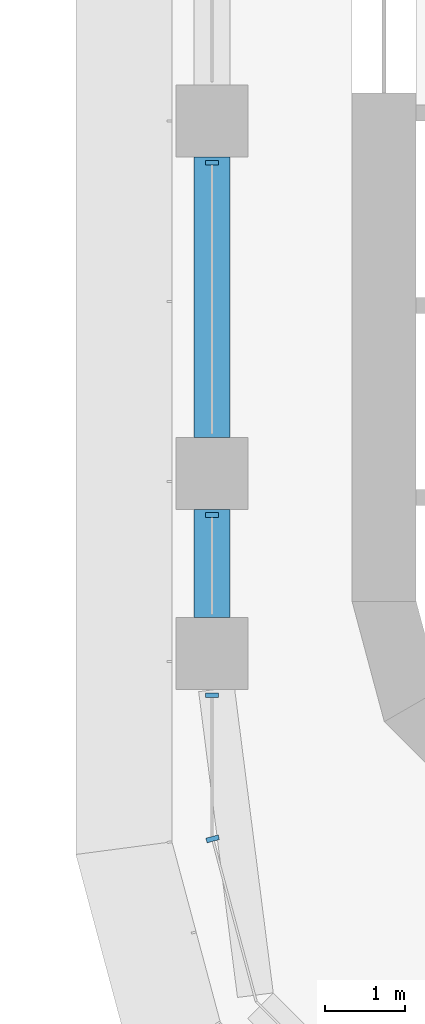
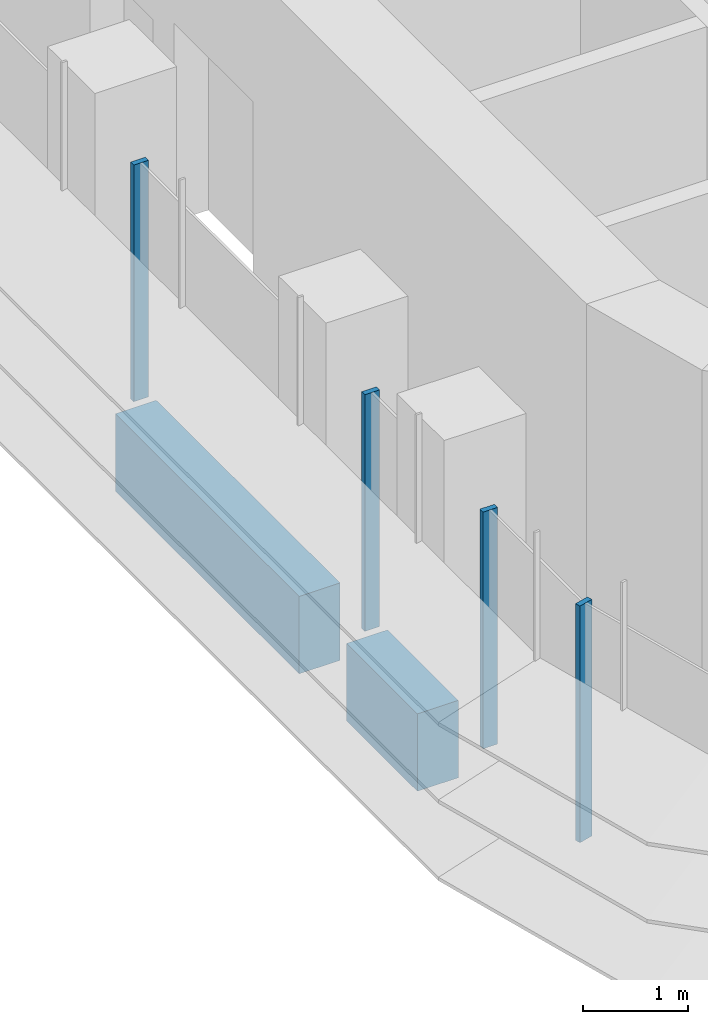
# One storey, part 2 of 22: 4 members, 2 beams, 2 elements without a shape of their own.
"""IFC4 building model written with IfcOpenShell, lengths in metres."""

from ifc_helpers import new_model, si_unit, direction, frame, origin, origin_2d, place, context, subcontext, project, spatial, polyline, rectangle, outline, extrude, source, transform, mapped, material, material_profile, profile_set, type_object, element, aggregate, save


model = new_model("IFC4")

# Units and contexts
model_context = context("Model", 3, precision=1e-05, world=origin(), true_north=direction((0.0, 1.0)))
body_context = subcontext(model_context, "Body", "Model", "MODEL_VIEW")
ifc_project = project(units=[si_unit("LENGTHUNIT", "METRE"), si_unit("AREAUNIT", "SQUARE_METRE"), si_unit("VOLUMEUNIT", "CUBIC_METRE"), si_unit("PLANEANGLEUNIT", "RADIAN"), si_unit("MASSUNIT", "GRAM", prefix="KILO")], contexts=[model_context])

# Site, building, storey
site_placement = place(None, origin())
site = spatial("IfcSite", under=ifc_project, at=site_placement, CompositionType="ELEMENT")
building_placement = place(site_placement, origin())
building = spatial("IfcBuilding", under=site, at=building_placement, Name="Zarbagh Exchange Tower", CompositionType="ELEMENT")
storey_placement = place(building_placement, frame((0.0, 0.0, 113.199951171875)))
storey = spatial("IfcBuildingStorey", under=building, at=storey_placement, Name="L26", CompositionType="ELEMENT", Elevation=113.199951171875)

# Beams
ifc_material_1 = material(Name="Concrete C60/75", Category="concrete")
ifc_material_profile = material_profile(ifc_material_1, rectangle(XDim=0.449951171875, YDim=0.89990234375, at=origin_2d()), Name="RC spandrel beam 450 x 900 C60/75")
ifc_profile_set = profile_set([ifc_material_profile], Name="Concrete C60/75")
beam_type = type_object("IfcBeamType", Name="RC spandrel beam 450 x 900 C60/75", PredefinedType="SPANDREL", material=ifc_profile_set)
beam_1_placement = place(storey_placement, frame((-6.25, -26.449951171875, -0.599853515625), z_axis=(0.0, 1.0, 0.0), x_axis=(-1.0, 0.0, 0.0)))
element("IfcBeam", 1, at=beam_1_placement, inside=storey, type_object=beam_type, Name="RC spandrel beam", PredefinedType="SPANDREL", context=body_context, shape_type="SweptSolid", body=[
    extrude(rectangle(XDim=0.449951171875, YDim=0.89990234375, at=origin_2d()), origin(), (0.0, 0.0, 1.0), 1.349853515625),
])
beam_2_placement = place(storey_placement, frame((-6.25, -24.199951171875, -0.599853515625), z_axis=(0.0, 1.0, 0.0), x_axis=(-1.0, 0.0, 0.0)))
element("IfcBeam", 2, at=beam_2_placement, inside=storey, type_object=beam_type, Name="RC spandrel beam", PredefinedType="SPANDREL", context=body_context, shape_type="SweptSolid", body=[
    extrude(rectangle(XDim=0.449951171875, YDim=0.89990234375, at=origin_2d()), origin(), (0.0, 0.0, 1.0), 3.5),
])

# Curtain wall, members
ifc_material_2 = material(Name="Anodised aluminium frame and glazing", Category="aluminium")
curtain_wall_type = type_object("IfcCurtainWallType", Name="CWA Ribbon glazing, lower zones", PredefinedType="NOTDEFINED", material=ifc_material_2)
curtain_wall_1_placement = place(storey_placement, origin())
curtain_wall_1 = element("IfcCurtainWall", 3, at=curtain_wall_1_placement, inside=storey, type_object=curtain_wall_type, Name="CWA44 curtain wall", PredefinedType="NOTDEFINED")
ifc_material_3 = material(Name="Anodised aluminium frame", Category="aluminium")
member_type = type_object("IfcMemberType", Name="MUA Mullion, anodised aluminium frame", PredefinedType="MULLION", material=ifc_material_3)
shared_shape = source(origin(), body_context, "Body", "SweptSolid", [
    extrude(outline(polyline([(0.0, -0.080078125), (0.06005859375, -0.080078125), (0.06005859375, 0.080078125), (0.0, 0.080078125), (0.0, -0.080078125)])), origin(), (0.0, 0.0, 1.0), 2.75),
])
placement = place(storey_placement, origin())
member_1 = element("IfcMember", 4, at=placement, type_object=member_type, Name="CWA44 mullion 3.1", PredefinedType="MULLION", context=body_context, shape_type="MappedRepresentation", body=[
    mapped(shared_shape, transform((-6.25, -20.739990234375, 0.0), x_axis=(0.0, -1.0, 0.0), y_axis=(1.0, 0.0, 0.0), z_axis=(0.0, 0.0, 1.0))),
])
member_2 = element("IfcMember", 5, at=placement, type_object=member_type, Name="CWA44 mullion 4.1", PredefinedType="MULLION", context=body_context, shape_type="MappedRepresentation", body=[
    mapped(shared_shape, transform((-6.25, -25.14013671875, 0.0), x_axis=(0.0, -1.0, 0.0), y_axis=(1.0, 0.0, 0.0), z_axis=(0.0, 0.0, 1.0))),
])
member_3 = element("IfcMember", 6, at=placement, type_object=member_type, Name="CWA44 mullion 5.1", PredefinedType="MULLION", context=body_context, shape_type="MappedRepresentation", body=[
    mapped(shared_shape, transform((-6.25, -27.39013671875, 0.0), x_axis=(0.0, -1.0, 0.0), y_axis=(1.0, 0.0, 0.0), z_axis=(0.0, 0.0, 1.0))),
])
aggregate(curtain_wall_1, [member_1, member_2, member_3])

# Curtain wall, member
curtain_wall_2_placement = place(storey_placement, origin())
curtain_wall_2 = element("IfcCurtainWall", 7, at=curtain_wall_2_placement, inside=storey, type_object=curtain_wall_type, Name="CWA45 curtain wall", PredefinedType="NOTDEFINED")
member_4 = element("IfcMember", 8, at=placement, type_object=member_type, Name="CWA45 mullion 1.1", PredefinedType="MULLION", context=body_context, shape_type="MappedRepresentation", body=[
    mapped(shared_shape, transform((-6.25, -29.18408203125, 0.0), x_axis=(0.258824779902, -0.965924289636, 0.0), y_axis=(0.965924289636, 0.258824779902, 0.0), z_axis=(0.0, 0.0, 1.0))),
])
aggregate(curtain_wall_2, [member_4])

save(model, "model.ifc")
